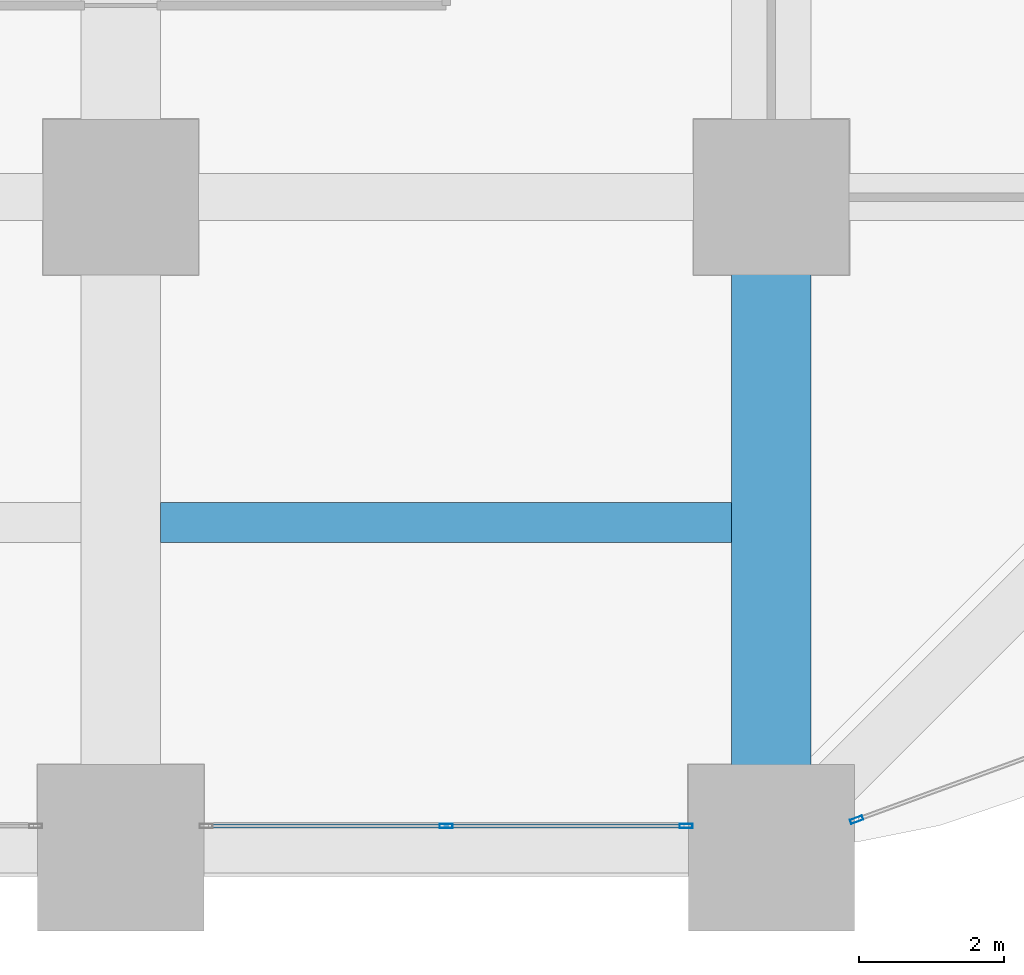
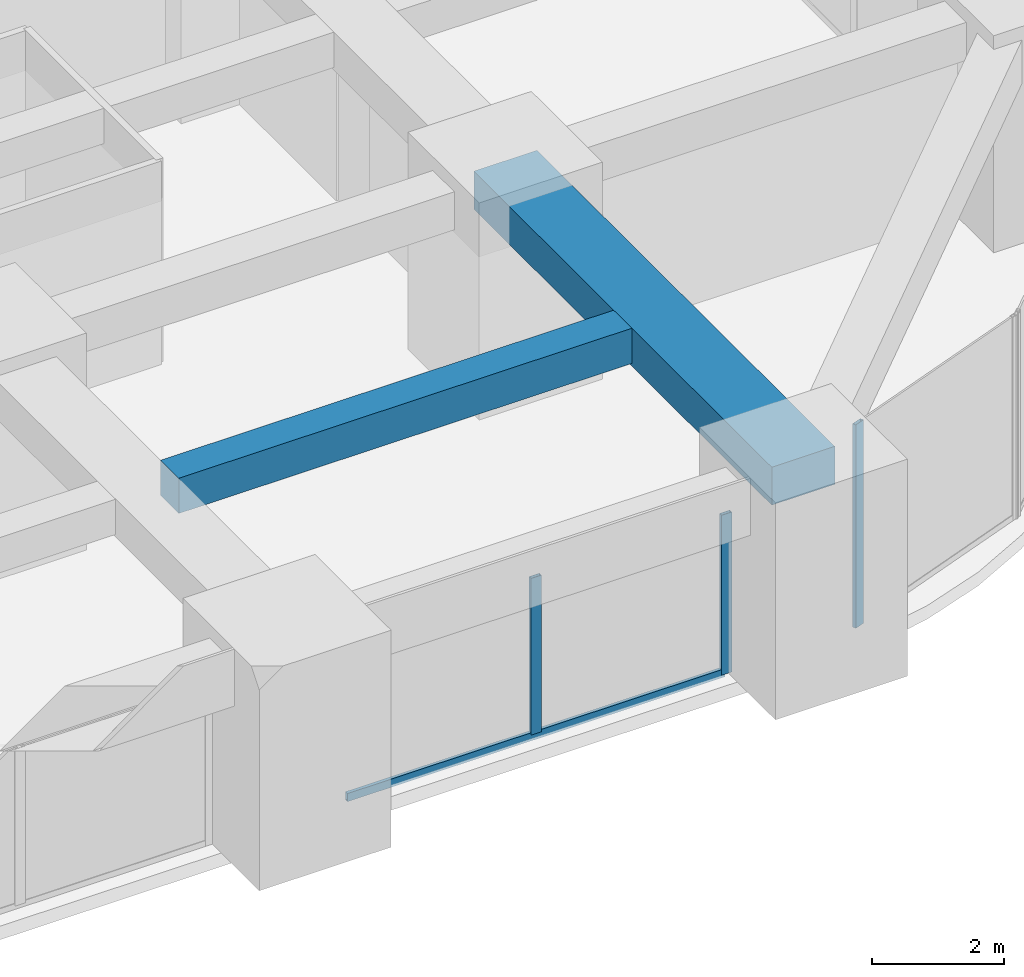
# One storey, part 15 of 44: 4 members, 2 beams, 2 elements without a shape of their own.
"""IFC4 building model written with IfcOpenShell, lengths in metres."""

from ifc_helpers import new_model, si_unit, direction, frame, origin, origin_2d, place, context, subcontext, project, spatial, rectangle, hollow_rectangle, extrude, material, material_profile, profile_set, type_object, element, aggregate, save


model = new_model("IFC4")

# Units and contexts
model_context = context("Model", 3, precision=1e-05, world=origin(), true_north=direction((0.0, 1.0)))
body_context = subcontext(model_context, "Body", "Model", "MODEL_VIEW")
ifc_project = project(units=[si_unit("LENGTHUNIT", "METRE"), si_unit("AREAUNIT", "SQUARE_METRE"), si_unit("VOLUMEUNIT", "CUBIC_METRE"), si_unit("PLANEANGLEUNIT", "RADIAN"), si_unit("MASSUNIT", "GRAM", prefix="KILO")], contexts=[model_context])

# Site, building, storey
site_placement = place(None, origin())
site = spatial("IfcSite", under=ifc_project, at=site_placement, CompositionType="ELEMENT")
building_placement = place(site_placement, origin())
building = spatial("IfcBuilding", under=site, at=building_placement, Name="Zorevar Civic Tower", CompositionType="ELEMENT")
storey_placement = place(building_placement, frame((0.0, 0.0, 59.800048828125)))
storey = spatial("IfcBuildingStorey", under=building, at=storey_placement, Name="L14", CompositionType="ELEMENT", Elevation=59.800048828125)

# Beams
ifc_material_1 = material(Name="Concrete C50/60", Category="concrete")
ifc_material_profile_1 = material_profile(ifc_material_1, rectangle(XDim=1.10009765625, YDim=0.699951171875, at=origin_2d()), Name="RC 1100x700")
ifc_profile_set_1 = profile_set([ifc_material_profile_1], Name="Concrete C50/60")
beam_type_1 = type_object("IfcBeamType", Name="Beam RC 1100x700", PredefinedType="BEAM", material=ifc_profile_set_1)
beam_1_placement = place(storey_placement, frame((54.0, 0.0, 3.39990234375), z_axis=(0.0, 1.0, 0.0), x_axis=(-1.0, 0.0, 0.0)))
element("IfcBeam", 1, at=beam_1_placement, inside=storey, type_object=beam_type_1, Name="Girder L15", PredefinedType="BEAM", context=body_context, shape_type="SweptSolid", body=[
    extrude(rectangle(XDim=1.10009765625, YDim=0.699951171875, at=origin_2d()), origin(), (0.0, 0.0, 1.0), 9.0),
])
ifc_material_2 = material(Name="Concrete C50/60", Category="concrete")
ifc_material_profile_2 = material_profile(ifc_material_2, rectangle(XDim=0.550048828125, YDim=0.64990234375, at=origin_2d()), Name="RC 550x650")
ifc_profile_set_2 = profile_set([ifc_material_profile_2], Name="Concrete C50/60")
beam_type_2 = type_object("IfcBeamType", Name="Beam RC 550x650", PredefinedType="BEAM", material=ifc_profile_set_2)
beam_2_placement = place(storey_placement, frame((45.550048828125, 4.5, 3.425048828125), z_axis=(1.0, 0.0, 0.0), x_axis=(0.0, 1.0, 0.0)))
element("IfcBeam", 2, at=beam_2_placement, inside=storey, type_object=beam_type_2, Name="Secondary beam L15", PredefinedType="BEAM", context=body_context, shape_type="SweptSolid", body=[
    extrude(rectangle(XDim=0.550048828125, YDim=0.64990234375, at=origin_2d()), origin(), (0.0, 0.0, 1.0), 7.89990234375),
])

# Curtain wall, members
ifc_material_3 = material(Name="Dark grey solar-control glass in black aluminium frame", Category="aluminium")
curtain_wall_type = type_object("IfcCurtainWallType", Name="Curtain wall CW2 low zone", PredefinedType="NOTDEFINED", material=ifc_material_3)
curtain_wall_1_placement = place(storey_placement, origin())
curtain_wall_1 = element("IfcCurtainWall", 3, at=curtain_wall_1_placement, inside=storey, type_object=curtain_wall_type, Name="CW2 L14", PredefinedType="NOTDEFINED")
ifc_material_4 = material(Name="Aluminium, black anodised", Category="aluminium")
ifc_material_profile_3 = material_profile(ifc_material_4, hollow_rectangle(XDim=0.06005859375, YDim=0.179931640625, WallThickness=0.00390625, at=origin_2d()), Name="AL 180x60x4")
ifc_profile_set_3 = profile_set([ifc_material_profile_3], Name="Aluminium, black anodised")
member_type_1 = type_object("IfcMemberType", Name="CW2 mullion AL 180x60x4", PredefinedType="MULLION", material=ifc_profile_set_3)
member_1_placement = place(storey_placement, frame((49.5, 0.300048828125, 0.06005859375), z_axis=(0.0, 0.0, 1.0), x_axis=(0.0, 1.0, 0.0)))
member_1 = element("IfcMember", 4, at=member_1_placement, type_object=member_type_1, Name="CW2 mullion 2", PredefinedType="MULLION", context=body_context, shape_type="SweptSolid", body=[
    extrude(hollow_rectangle(XDim=0.06005859375, YDim=0.179931640625, WallThickness=0.00390625, at=origin_2d()), origin(), (0.0, 0.0, 1.0), 2.889892578125),
])
member_2_placement = place(storey_placement, frame((52.820068359375, 0.300048828125, 0.0), z_axis=(0.0, 0.0, 1.0), x_axis=(0.0, 1.0, 0.0)))
member_2 = element("IfcMember", 5, at=member_2_placement, type_object=member_type_1, Name="CW2 mullion 3", PredefinedType="MULLION", context=body_context, shape_type="SweptSolid", body=[
    extrude(hollow_rectangle(XDim=0.06005859375, YDim=0.179931640625, WallThickness=0.00390625, at=origin_2d()), origin(), (0.0, 0.0, 1.0), 2.949951171875),
])

# Curtain wall, member
curtain_wall_2_placement = place(storey_placement, origin())
curtain_wall_2 = element("IfcCurtainWall", 6, at=curtain_wall_2_placement, inside=storey, type_object=curtain_wall_type, Name="CW2 L14", PredefinedType="NOTDEFINED")
member_3_placement = place(storey_placement, frame((55.17822265625, 0.38671875, 0.0), z_axis=(0.0, 0.0, 1.0), x_axis=(-0.343060400701, 0.939313345732, 0.0)))
member_3 = element("IfcMember", 7, at=member_3_placement, type_object=member_type_1, Name="CW2 mullion 1", PredefinedType="MULLION", context=body_context, shape_type="SweptSolid", body=[
    extrude(hollow_rectangle(XDim=0.06005859375, YDim=0.179931640625, WallThickness=0.00390625, at=origin_2d()), origin(), (0.0, 0.0, 1.0), 3.75),
])
aggregate(curtain_wall_2, [member_3])

# Member
ifc_material_5 = material(Name="Aluminium, black anodised", Category="aluminium")
ifc_material_profile_4 = material_profile(ifc_material_5, hollow_rectangle(XDim=0.06005859375, YDim=0.14990234375, WallThickness=0.00390625, at=origin_2d()), Name="AL 150x60x4")
ifc_profile_set_4 = profile_set([ifc_material_profile_4], Name="Aluminium, black anodised")
member_type_2 = type_object("IfcMemberType", Name="CW2 transom AL 150x60x4", PredefinedType="USERDEFINED", material=ifc_profile_set_4)
member_4_placement = place(storey_placement, frame((46.2099609375, 0.300048828125, 0.030029296875), z_axis=(1.0, 0.0, 0.0), x_axis=(0.0, 1.0, 0.0)))
member_4 = element("IfcMember", 8, at=member_4_placement, type_object=member_type_2, Name="CW2 sill transom", ObjectType="TRANSOM", PredefinedType="USERDEFINED", context=body_context, shape_type="SweptSolid", body=[
    extrude(hollow_rectangle(XDim=0.06005859375, YDim=0.14990234375, WallThickness=0.00390625, at=origin_2d()), origin(), (0.0, 0.0, 1.0), 6.580078125),
])

aggregate(curtain_wall_1, [member_1, member_2, member_4])

save(model, "model.ifc")
